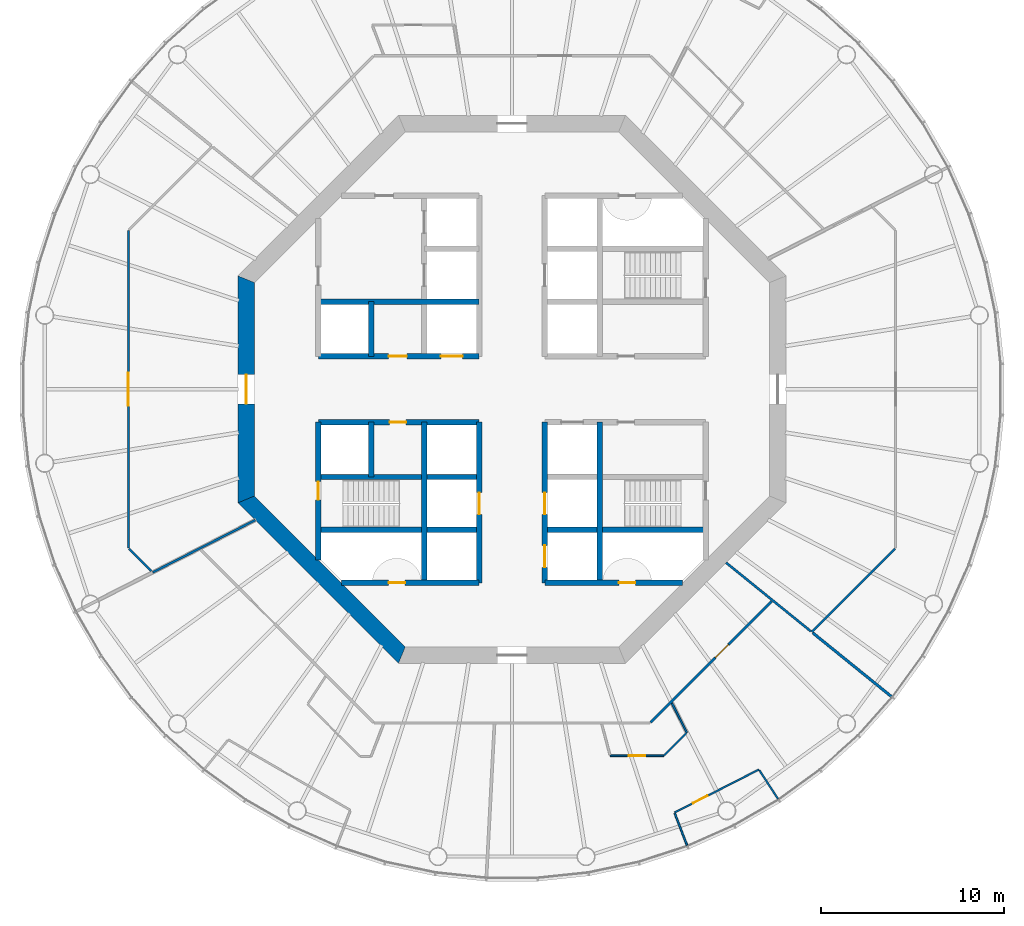
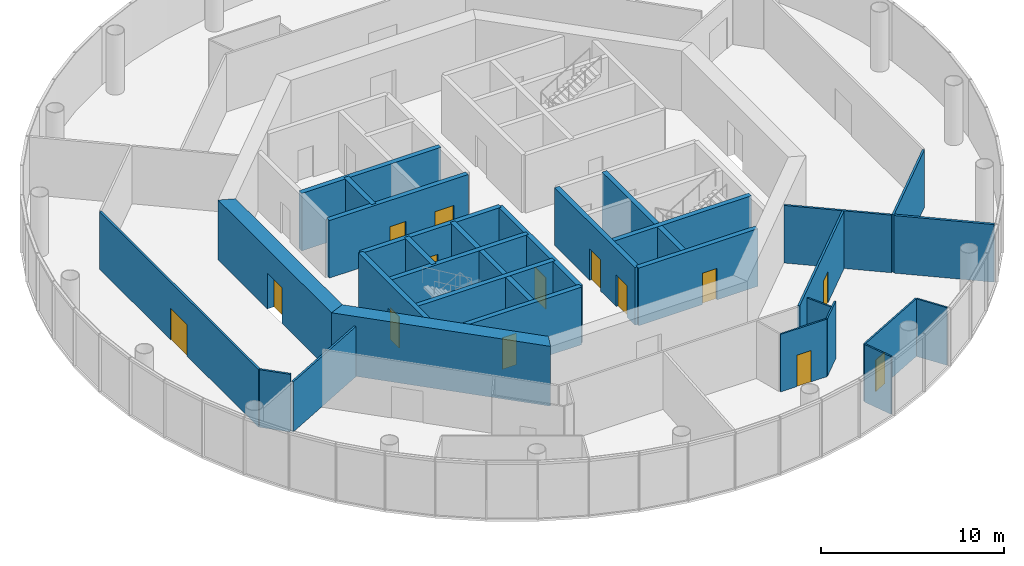
# One storey, part 3 of 12: 30 walls, 14 doors, 14 openings.
"""IFC4 building model written with IfcOpenShell, lengths in metres."""

from ifc_helpers import new_model, si_unit, direction, frame, frame_2d, origin, place, context, subcontext, project, spatial, polyline, rectangle, outline, extrude, material, layer, layer_set, type_object, element, fill, save


model = new_model("IFC4")

# Units and contexts
model_context = context("Model", 3, precision=1e-05, world=origin(), true_north=direction((0.0, 1.0)))
body_context = subcontext(model_context, "Body", "Model", "MODEL_VIEW")
ifc_project = project(units=[si_unit("LENGTHUNIT", "METRE"), si_unit("AREAUNIT", "SQUARE_METRE"), si_unit("VOLUMEUNIT", "CUBIC_METRE"), si_unit("PLANEANGLEUNIT", "RADIAN"), si_unit("MASSUNIT", "GRAM", prefix="KILO")], contexts=[model_context])

# Site, building, storey
site_placement = place(None, origin())
site = spatial("IfcSite", under=ifc_project, at=site_placement, CompositionType="ELEMENT")
building_placement = place(site_placement, origin())
building = spatial("IfcBuilding", under=site, at=building_placement, Name="Entoto Ring Tower", CompositionType="ELEMENT")
storey_placement = place(building_placement, frame((0.0, 0.0, 254.0)))
storey = spatial("IfcBuildingStorey", under=building, at=storey_placement, Name="L58", CompositionType="ELEMENT", Elevation=254.0)

# Wall
ifc_material_1 = material(Name="Concrete C40/50", Category="concrete")
ifc_layer_1 = layer(ifc_material_1, 0.300048828125)
ifc_layer_set_1 = layer_set([ifc_layer_1], Name="Concrete C40/50")
wall_type_1 = type_object("IfcWallType", Name="Core enclosure wall 300 mm reinforced concrete", PredefinedType="SOLIDWALL", material=ifc_layer_set_1)
wall_1_placement = place(storey_placement, frame((94.800048828125, 69.39990234375, 0.0), z_axis=(0.0, 0.0, 1.0), x_axis=(0.0, 1.0, 0.0)))
element("IfcWall", 1, at=wall_1_placement, inside=storey, type_object=wall_type_1, Name="wall-L58-003", PredefinedType="SOLIDWALL", context=body_context, shape_type="SweptSolid", body=[
    extrude(rectangle(XDim=8.800048828125, YDim=0.300048828125, at=frame_2d((4.39990234375, 0.0))), origin(), (0.0, 0.0, 1.0), 3.85009765625),
])

# Wall, openings, doors
wall_2_placement = place(storey_placement, frame((91.800048828125, 69.39990234375, 0.0), z_axis=(0.0, 0.0, 1.0), x_axis=(0.0, 1.0, 0.0)))
wall_2 = element("IfcWall", 2, at=wall_2_placement, inside=storey, type_object=wall_type_1, Name="wall-L58-005", PredefinedType="SOLIDWALL", context=body_context, shape_type="SweptSolid", body=[
    extrude(rectangle(XDim=8.800048828125, YDim=0.300048828125, at=frame_2d((4.39990234375, 0.0))), origin(), (0.0, 0.0, 1.0), 3.85009765625),
])
opening_1_placement = place(wall_2_placement, frame((3.75, 0.0, 0.0)))
opening_1 = element("IfcOpeningElement", 3, at=opening_1_placement, cuts=wall_2, Name="Opening LD", PredefinedType="OPENING", context=body_context, shape_type="SweptSolid", body=[
    extrude(rectangle(XDim=1.199951171875, YDim=2.10009765625, at=frame_2d((0.60009765625, 1.050048828125))), frame((0.0, 0.16015625, 0.0), z_axis=(0.0, -1.0, 0.0), x_axis=(1.0, 0.0, 0.0)), (0.0, 0.0, 1.0), 0.320068359375),
])
opening_2_placement = place(wall_2_placement, frame((0.85009765625, 0.0, 0.0)))
opening_2 = element("IfcOpeningElement", 4, at=opening_2_placement, cuts=wall_2, Name="Opening LD", PredefinedType="OPENING", context=body_context, shape_type="SweptSolid", body=[
    extrude(rectangle(XDim=1.199951171875, YDim=2.10009765625, at=frame_2d((0.60009765625, 1.050048828125))), frame((0.0, 0.16015625, 0.0), z_axis=(0.0, -1.0, 0.0), x_axis=(1.0, 0.0, 0.0)), (0.0, 0.0, 1.0), 0.320068359375),
])
ifc_material_2 = material(Name="Steel and glass door leaf", Category="steel")
ifc_layer_2 = layer(ifc_material_2, 0.050048828125)
ifc_layer_set_2 = layer_set([ifc_layer_2], Name="Steel and glass door leaf")
door_type_1 = type_object("IfcDoorType", Name="Landing door 1200 x 2100 sliding", OperationType="DOUBLE_DOOR_SLIDING", PredefinedType="DOOR", material=ifc_layer_set_2)
door_1_placement = place(opening_1_placement, origin())
door_1 = element("IfcDoor", 5, at=door_1_placement, inside=storey, type_object=door_type_1, Name="Landing door LB2-MR", OperationType="SLIDING_TO_RIGHT", OverallHeight=2.10009765625, OverallWidth=1.199951171875, PredefinedType="DOOR", context=body_context, shape_type="SweptSolid", body=[
    extrude(rectangle(XDim=1.199951171875, YDim=2.10009765625, at=frame_2d((0.60009765625, 1.050048828125))), frame((0.0, 0.02490234375, 0.0), z_axis=(0.0, -1.0, 0.0), x_axis=(1.0, 0.0, 0.0)), (0.0, 0.0, 1.0), 0.050048828125),
])
fill(opening_1, door_1)
door_2_placement = place(opening_2_placement, origin())
door_2 = element("IfcDoor", 6, at=door_2_placement, inside=storey, type_object=door_type_1, Name="Landing door LB3-MR", OperationType="SLIDING_TO_RIGHT", OverallHeight=2.10009765625, OverallWidth=1.199951171875, PredefinedType="DOOR", context=body_context, shape_type="SweptSolid", body=[
    extrude(rectangle(XDim=1.199951171875, YDim=2.10009765625, at=frame_2d((0.60009765625, 1.050048828125))), frame((0.0, 0.02490234375, 0.0), z_axis=(0.0, -1.0, 0.0), x_axis=(1.0, 0.0, 0.0)), (0.0, 0.0, 1.0), 0.050048828125),
])
fill(opening_2, door_2)

# Wall, opening, door
wall_3_placement = place(storey_placement, frame((88.199951171875, 69.39990234375, 0.0), z_axis=(0.0, 0.0, 1.0), x_axis=(0.0, 1.0, 0.0)))
wall_3 = element("IfcWall", 7, at=wall_3_placement, inside=storey, type_object=wall_type_1, Name="wall-L58-007", PredefinedType="SOLIDWALL", context=body_context, shape_type="SweptSolid", body=[
    extrude(rectangle(XDim=8.800048828125, YDim=0.300048828125, at=frame_2d((4.39990234375, 0.0))), origin(), (0.0, 0.0, 1.0), 3.85009765625),
])
opening_3_placement = place(wall_3_placement, frame((3.75, 0.0, 0.0)))
opening_3 = element("IfcOpeningElement", 8, at=opening_3_placement, cuts=wall_3, Name="Opening LD", PredefinedType="OPENING", context=body_context, shape_type="SweptSolid", body=[
    extrude(rectangle(XDim=1.199951171875, YDim=2.10009765625, at=frame_2d((0.60009765625, 1.050048828125))), frame((0.0, 0.16015625, 0.0), z_axis=(0.0, -1.0, 0.0), x_axis=(1.0, 0.0, 0.0)), (0.0, 0.0, 1.0), 0.320068359375),
])
door_3_placement = place(opening_3_placement, origin())
door_3 = element("IfcDoor", 9, at=door_3_placement, inside=storey, type_object=door_type_1, Name="Landing door LB4-MR", OperationType="SLIDING_TO_RIGHT", OverallHeight=2.10009765625, OverallWidth=1.199951171875, PredefinedType="DOOR", context=body_context, shape_type="SweptSolid", body=[
    extrude(rectangle(XDim=1.199951171875, YDim=2.10009765625, at=frame_2d((0.60009765625, 1.050048828125))), frame((0.0, 0.02490234375, 0.0), z_axis=(0.0, -1.0, 0.0), x_axis=(1.0, 0.0, 0.0)), (0.0, 0.0, 1.0), 0.050048828125),
])
fill(opening_3, door_3)

# Walls
wall_4_placement = place(storey_placement, frame((85.199951171875, 69.39990234375, 0.0), z_axis=(0.0, 0.0, 1.0), x_axis=(0.0, 1.0, 0.0)))
element("IfcWall", 10, at=wall_4_placement, inside=storey, type_object=wall_type_1, Name="wall-L58-009", PredefinedType="SOLIDWALL", context=body_context, shape_type="SweptSolid", body=[
    extrude(rectangle(XDim=8.800048828125, YDim=0.300048828125, at=frame_2d((4.39990234375, 0.0))), origin(), (0.0, 0.0, 1.0), 3.85009765625),
])
for number, where, z_axis, x_axis, name in (
    (11, (82.300048828125, 75.199951171875, 0.0), (0.0, 0.0, 1.0), (0.0, 1.0, 0.0), "wall-L58-011"),
    (12, (82.300048828125, 81.800048828125, 0.0), (0.0, 0.0, 1.0), (0.0, 1.0, 0.0), "wall-L58-012"),
):
    element("IfcWall", number, at=place(storey_placement, frame(where, z_axis=z_axis, x_axis=x_axis)), inside=storey, type_object=wall_type_1, Name=name, PredefinedType="SOLIDWALL", context=body_context, shape_type="SweptSolid", body=[
        extrude(rectangle(XDim=3.0, YDim=0.300048828125, at=frame_2d((1.5, 0.0))), origin(), (0.0, 0.0, 1.0), 3.85009765625),
    ])

# Wall, opening, door
wall_5_placement = place(storey_placement, frame((79.39990234375, 70.65966796875, 0.0), z_axis=(0.0, 0.0, 1.0), x_axis=(0.0, 1.0, 0.0)))
wall_5 = element("IfcWall", 13, at=wall_5_placement, inside=storey, type_object=wall_type_1, Name="wall-L58-013", PredefinedType="SOLIDWALL", context=body_context, shape_type="SweptSolid", body=[
    extrude(rectangle(XDim=7.540283203125, YDim=0.300048828125, at=frame_2d((3.77001953125, 0.0))), origin(), (0.0, 0.0, 1.0), 3.85009765625),
])
opening_4_placement = place(wall_5_placement, frame((3.290283203125, 0.0, 0.0)))
opening_4 = element("IfcOpeningElement", 14, at=opening_4_placement, cuts=wall_5, Name="Opening K-55", PredefinedType="OPENING", context=body_context, shape_type="SweptSolid", body=[
    extrude(rectangle(XDim=1.0, YDim=2.10009765625, at=frame_2d((0.5, 1.050048828125))), frame((0.0, 0.16015625, 0.0), z_axis=(0.0, -1.0, 0.0), x_axis=(1.0, 0.0, 0.0)), (0.0, 0.0, 1.0), 0.320068359375),
])
ifc_material_3 = material(Name="Steel door leaf, fire rated", Category="steel")
ifc_layer_3 = layer(ifc_material_3, 0.050048828125)
ifc_layer_set_3 = layer_set([ifc_layer_3], Name="Steel door leaf, fire rated")
door_type_2 = type_object("IfcDoorType", Name="Fire door FD60 1000 x 2100 single leaf", OperationType="NOTDEFINED", PredefinedType="DOOR", material=ifc_layer_set_3)
door_4_placement = place(opening_4_placement, frame((1.0, 0.0, 0.0), z_axis=(0.0, 0.0, 1.0), x_axis=(-1.0, 0.0, 0.0)))
door_4 = element("IfcDoor", 15, at=door_4_placement, inside=storey, type_object=door_type_2, Name="Door K-55", OperationType="SINGLE_SWING_LEFT", OverallHeight=2.10009765625, OverallWidth=1.0, PredefinedType="DOOR", context=body_context, shape_type="SweptSolid", body=[
    extrude(rectangle(XDim=1.0, YDim=2.10009765625, at=frame_2d((0.5, 1.050048828125))), frame((0.0, 0.02490234375, 0.0), z_axis=(0.0, -1.0, 0.0), x_axis=(1.0, 0.0, 0.0)), (0.0, 0.0, 1.0), 0.050048828125),
])
fill(opening_4, door_4)

wall_6_placement = place(storey_placement, frame((80.65966796875, 69.39990234375, 0.0), z_axis=(0.0, 0.0, 1.0), x_axis=(1.0, 0.0, 0.0)))
wall_6 = element("IfcWall", 16, at=wall_6_placement, inside=storey, type_object=wall_type_1, Name="wall-L58-015", PredefinedType="SOLIDWALL", context=body_context, shape_type="SweptSolid", body=[
    extrude(rectangle(XDim=7.540283203125, YDim=0.300048828125, at=frame_2d((3.77001953125, 0.0))), origin(), (0.0, 0.0, 1.0), 3.85009765625),
])
opening_5_placement = place(wall_6_placement, frame((2.59033203125, 0.0, 0.0)))
opening_5 = element("IfcOpeningElement", 17, at=opening_5_placement, cuts=wall_6, Name="Opening K-62", PredefinedType="OPENING", context=body_context, shape_type="SweptSolid", body=[
    extrude(rectangle(XDim=0.89990234375, YDim=2.10009765625, at=frame_2d((0.449951171875, 1.050048828125))), frame((0.0, 0.16015625, 0.0), z_axis=(0.0, -1.0, 0.0), x_axis=(1.0, 0.0, 0.0)), (0.0, 0.0, 1.0), 0.320068359375),
])
ifc_material_4 = material(Name="Steel door leaf, fire rated", Category="steel")
ifc_layer_4 = layer(ifc_material_4, 0.050048828125)
ifc_layer_set_4 = layer_set([ifc_layer_4], Name="Steel door leaf, fire rated")
door_type_3 = type_object("IfcDoorType", Name="Riser door FD60 900 x 2100 single leaf", OperationType="NOTDEFINED", PredefinedType="DOOR", material=ifc_layer_set_4)
door_5_placement = place(opening_5_placement, origin())
door_5 = element("IfcDoor", 18, at=door_5_placement, inside=storey, type_object=door_type_3, Name="Door K-62", OperationType="SINGLE_SWING_RIGHT", OverallHeight=2.10009765625, OverallWidth=0.89990234375, PredefinedType="DOOR", context=body_context, shape_type="SweptSolid", body=[
    extrude(rectangle(XDim=0.89990234375, YDim=2.10009765625, at=frame_2d((0.449951171875, 1.050048828125))), frame((0.0, 0.02490234375, 0.0), z_axis=(0.0, -1.0, 0.0), x_axis=(1.0, 0.0, 0.0)), (0.0, 0.0, 1.0), 0.050048828125),
])
fill(opening_5, door_5)

wall_7_placement = place(storey_placement, frame((91.800048828125, 69.39990234375, 0.0), z_axis=(0.0, 0.0, 1.0), x_axis=(1.0, 0.0, 0.0)))
wall_7 = element("IfcWall", 19, at=wall_7_placement, inside=storey, type_object=wall_type_1, Name="wall-L58-016", PredefinedType="SOLIDWALL", context=body_context, shape_type="SweptSolid", body=[
    extrude(rectangle(XDim=7.540283203125, YDim=0.300048828125, at=frame_2d((3.77001953125, 0.0))), origin(), (0.0, 0.0, 1.0), 3.85009765625),
])
opening_6_placement = place(wall_7_placement, frame((4.050048828125, 0.0, 0.0)))
opening_6 = element("IfcOpeningElement", 20, at=opening_6_placement, cuts=wall_7, Name="Opening K-20", PredefinedType="OPENING", context=body_context, shape_type="SweptSolid", body=[
    extrude(rectangle(XDim=0.89990234375, YDim=2.10009765625, at=frame_2d((0.449951171875, 1.050048828125))), frame((0.0, 0.16015625, 0.0), z_axis=(0.0, -1.0, 0.0), x_axis=(1.0, 0.0, 0.0)), (0.0, 0.0, 1.0), 0.320068359375),
])
door_6_placement = place(opening_6_placement, origin())
door_6 = element("IfcDoor", 21, at=door_6_placement, inside=storey, type_object=door_type_3, Name="Door K-20", OperationType="SINGLE_SWING_LEFT", OverallHeight=2.10009765625, OverallWidth=0.89990234375, PredefinedType="DOOR", context=body_context, shape_type="SweptSolid", body=[
    extrude(rectangle(XDim=0.89990234375, YDim=2.10009765625, at=frame_2d((0.449951171875, 1.050048828125))), frame((0.0, 0.02490234375, 0.0), z_axis=(0.0, -1.0, 0.0), x_axis=(1.0, 0.0, 0.0)), (0.0, 0.0, 1.0), 0.050048828125),
])
fill(opening_6, door_6)

# Walls
for number, where, z_axis, x_axis, name in (
    (22, (79.39990234375, 72.300048828125, 0.0), (0.0, 0.0, 1.0), (1.0, 0.0, 0.0), "wall-L58-017"),
    (23, (91.800048828125, 72.300048828125, 0.0), (0.0, 0.0, 1.0), (1.0, 0.0, 0.0), "wall-L58-018"),
    (24, (79.39990234375, 75.199951171875, 0.0), (0.0, 0.0, 1.0), (1.0, 0.0, 0.0), "wall-L58-019"),
):
    element("IfcWall", number, at=place(storey_placement, frame(where, z_axis=z_axis, x_axis=x_axis)), inside=storey, type_object=wall_type_1, Name=name, PredefinedType="SOLIDWALL", context=body_context, shape_type="SweptSolid", body=[
        extrude(rectangle(XDim=8.800048828125, YDim=0.300048828125, at=frame_2d((4.39990234375, 0.0))), origin(), (0.0, 0.0, 1.0), 3.85009765625),
    ])

# Wall, opening, door
wall_8_placement = place(storey_placement, frame((79.39990234375, 78.199951171875, 0.0), z_axis=(0.0, 0.0, 1.0), x_axis=(1.0, 0.0, 0.0)))
wall_8 = element("IfcWall", 25, at=wall_8_placement, inside=storey, type_object=wall_type_1, Name="wall-L58-021", PredefinedType="SOLIDWALL", context=body_context, shape_type="SweptSolid", body=[
    extrude(rectangle(XDim=8.800048828125, YDim=0.300048828125, at=frame_2d((4.39990234375, 0.0))), origin(), (0.0, 0.0, 1.0), 3.85009765625),
])
opening_7_placement = place(wall_8_placement, frame((3.89990234375, 0.0, 0.0)))
opening_7 = element("IfcOpeningElement", 26, at=opening_7_placement, cuts=wall_8, Name="Opening K-14", PredefinedType="OPENING", context=body_context, shape_type="SweptSolid", body=[
    extrude(rectangle(XDim=0.89990234375, YDim=2.10009765625, at=frame_2d((0.449951171875, 1.050048828125))), frame((0.0, 0.16015625, 0.0), z_axis=(0.0, -1.0, 0.0), x_axis=(1.0, 0.0, 0.0)), (0.0, 0.0, 1.0), 0.320068359375),
])
ifc_material_5 = material(Name="Steel door leaf, fire rated", Category="steel")
ifc_layer_5 = layer(ifc_material_5, 0.050048828125)
ifc_layer_set_5 = layer_set([ifc_layer_5], Name="Steel door leaf, fire rated")
door_type_4 = type_object("IfcDoorType", Name="Core door 900 x 2100 single leaf", OperationType="NOTDEFINED", PredefinedType="DOOR", material=ifc_layer_set_5)
door_7_placement = place(opening_7_placement, frame((0.89990234375, 0.0, 0.0), z_axis=(0.0, 0.0, 1.0), x_axis=(-1.0, 0.0, 0.0)))
door_7 = element("IfcDoor", 27, at=door_7_placement, inside=storey, type_object=door_type_4, Name="Door K-14", OperationType="SINGLE_SWING_LEFT", OverallHeight=2.10009765625, OverallWidth=0.89990234375, PredefinedType="DOOR", context=body_context, shape_type="SweptSolid", body=[
    extrude(rectangle(XDim=0.89990234375, YDim=2.10009765625, at=frame_2d((0.449951171875, 1.050048828125))), frame((0.0, 0.02490234375, 0.0), z_axis=(0.0, -1.0, 0.0), x_axis=(1.0, 0.0, 0.0)), (0.0, 0.0, 1.0), 0.050048828125),
])
fill(opening_7, door_7)

# Wall, openings, doors
wall_9_placement = place(storey_placement, frame((79.39990234375, 81.800048828125, 0.0), z_axis=(0.0, 0.0, 1.0), x_axis=(1.0, 0.0, 0.0)))
wall_9 = element("IfcWall", 28, at=wall_9_placement, inside=storey, type_object=wall_type_1, Name="wall-L58-023", PredefinedType="SOLIDWALL", context=body_context, shape_type="SweptSolid", body=[
    extrude(rectangle(XDim=8.800048828125, YDim=0.300048828125, at=frame_2d((4.39990234375, 0.0))), origin(), (0.0, 0.0, 1.0), 3.85009765625),
])
opening_8_placement = place(wall_9_placement, frame((6.699951171875, 0.0, 0.0)))
opening_8 = element("IfcOpeningElement", 29, at=opening_8_placement, cuts=wall_9, Name="Opening LD", PredefinedType="OPENING", context=body_context, shape_type="SweptSolid", body=[
    extrude(rectangle(XDim=1.199951171875, YDim=2.10009765625, at=frame_2d((0.60009765625, 1.050048828125))), frame((0.0, 0.16015625, 0.0), z_axis=(0.0, -1.0, 0.0), x_axis=(1.0, 0.0, 0.0)), (0.0, 0.0, 1.0), 0.320068359375),
])
opening_9_placement = place(wall_9_placement, frame((3.85009765625, 0.0, 0.0)))
opening_9 = element("IfcOpeningElement", 30, at=opening_9_placement, cuts=wall_9, Name="Opening K-13", PredefinedType="OPENING", context=body_context, shape_type="SweptSolid", body=[
    extrude(rectangle(XDim=1.0, YDim=2.10009765625, at=frame_2d((0.5, 1.050048828125))), frame((0.0, 0.16015625, 0.0), z_axis=(0.0, -1.0, 0.0), x_axis=(1.0, 0.0, 0.0)), (0.0, 0.0, 1.0), 0.320068359375),
])
ifc_material_6 = material(Name="Steel door leaf, fire rated", Category="steel")
ifc_layer_6 = layer(ifc_material_6, 0.050048828125)
ifc_layer_set_6 = layer_set([ifc_layer_6], Name="Steel door leaf, fire rated")
door_type_5 = type_object("IfcDoorType", Name="Accessible door 1000 x 2100 single leaf", OperationType="NOTDEFINED", PredefinedType="DOOR", material=ifc_layer_set_6)
door_8_placement = place(opening_9_placement, origin())
door_8 = element("IfcDoor", 31, at=door_8_placement, inside=storey, type_object=door_type_5, Name="Door K-13", OperationType="SINGLE_SWING_LEFT", OverallHeight=2.10009765625, OverallWidth=1.0, PredefinedType="DOOR", context=body_context, shape_type="SweptSolid", body=[
    extrude(rectangle(XDim=1.0, YDim=2.10009765625, at=frame_2d((0.5, 1.050048828125))), frame((0.0, 0.02490234375, 0.0), z_axis=(0.0, -1.0, 0.0), x_axis=(1.0, 0.0, 0.0)), (0.0, 0.0, 1.0), 0.050048828125),
])
fill(opening_9, door_8)
door_9_placement = place(opening_8_placement, origin())
door_9 = element("IfcDoor", 32, at=door_9_placement, inside=storey, type_object=door_type_1, Name="Landing door LB5-MR", OperationType="SLIDING_TO_LEFT", OverallHeight=2.10009765625, OverallWidth=1.199951171875, PredefinedType="DOOR", context=body_context, shape_type="SweptSolid", body=[
    extrude(rectangle(XDim=1.199951171875, YDim=2.10009765625, at=frame_2d((0.60009765625, 1.050048828125))), frame((0.0, 0.02490234375, 0.0), z_axis=(0.0, -1.0, 0.0), x_axis=(1.0, 0.0, 0.0)), (0.0, 0.0, 1.0), 0.050048828125),
])
fill(opening_8, door_9)

# Wall
wall_10_placement = place(storey_placement, frame((79.39990234375, 84.800048828125, 0.0), z_axis=(0.0, 0.0, 1.0), x_axis=(1.0, 0.0, 0.0)))
element("IfcWall", 33, at=wall_10_placement, inside=storey, type_object=wall_type_1, Name="wall-L58-025", PredefinedType="SOLIDWALL", context=body_context, shape_type="SweptSolid", body=[
    extrude(rectangle(XDim=8.800048828125, YDim=0.300048828125, at=frame_2d((4.39990234375, 0.0))), origin(), (0.0, 0.0, 1.0), 3.85009765625),
])

# Wall, opening, door
ifc_material_7 = material(Name="Concrete C50/60", Category="concrete")
ifc_layer_7 = layer(ifc_material_7, 0.89990234375)
ifc_layer_set_7 = layer_set([ifc_layer_7], Name="Concrete C50/60")
wall_type_2 = type_object("IfcWallType", Name="Core shear wall 900 mm reinforced concrete C50/60", PredefinedType="SHEAR", material=ifc_layer_set_7)
wall_11_placement = place(storey_placement, frame((75.449951171875, 86.02685546875, 0.0), z_axis=(0.0, 0.0, 1.0), x_axis=(0.0, -1.0, 0.0)))
wall_11 = element("IfcWall", 34, at=wall_11_placement, inside=storey, type_object=wall_type_2, Name="wall-L58-core-4", PredefinedType="SHEAR", context=body_context, shape_type="SweptSolid", body=[
    extrude(outline(polyline([(-0.186279296875, -0.449951171875), (12.239990234375, -0.449951171875), (11.867431640625, 0.449951171875), (0.186279296875, 0.449951171875), (-0.186279296875, -0.449951171875)])), origin(), (0.0, 0.0, 1.0), 4.0),
])
opening_10_placement = place(wall_11_placement, frame((5.226806640625, 0.0, 0.0)))
opening_10 = element("IfcOpeningElement", 35, at=opening_10_placement, cuts=wall_11, Name="Opening K-03", PredefinedType="OPENING", context=body_context, shape_type="SweptSolid", body=[
    extrude(rectangle(XDim=1.60009765625, YDim=2.39990234375, at=frame_2d((0.800048828125, 1.199951171875))), frame((0.0, 0.4599609375, 0.0), z_axis=(0.0, -1.0, 0.0), x_axis=(1.0, 0.0, 0.0)), (0.0, 0.0, 1.0), 0.919921875),
])
ifc_material_8 = material(Name="Steel door leaf, fire rated", Category="steel")
ifc_layer_8 = layer(ifc_material_8, 0.050048828125)
ifc_layer_set_8 = layer_set([ifc_layer_8], Name="Steel door leaf, fire rated")
door_type_6 = type_object("IfcDoorType", Name="Entrance door FD60 1600 x 2400 double leaf", OperationType="DOUBLE_DOOR_SINGLE_SWING", PredefinedType="DOOR", material=ifc_layer_set_8)
door_10_placement = place(opening_10_placement, origin())
door_10 = element("IfcDoor", 36, at=door_10_placement, inside=storey, type_object=door_type_6, Name="Entrance door K-03", OperationType="DOUBLE_DOOR_SINGLE_SWING", OverallHeight=2.39990234375, OverallWidth=1.60009765625, PredefinedType="DOOR", context=body_context, shape_type="SweptSolid", body=[
    extrude(rectangle(XDim=1.60009765625, YDim=2.39990234375, at=frame_2d((0.800048828125, 1.199951171875))), frame((0.0, 0.02490234375, 0.0), z_axis=(0.0, -1.0, 0.0), x_axis=(1.0, 0.0, 0.0)), (0.0, 0.0, 1.0), 0.050048828125),
])
fill(opening_10, door_10)

# Wall
wall_12_placement = place(storey_placement, frame((75.449951171875, 73.97314453125, 0.0), z_axis=(0.0, 0.0, 1.0), x_axis=(0.707106781187, -0.707106781187, 0.0)))
element("IfcWall", 37, at=wall_12_placement, inside=storey, type_object=wall_type_2, Name="wall-L58-core-5", PredefinedType="SHEAR", context=body_context, shape_type="SweptSolid", body=[
    extrude(outline(polyline([(-0.186279296875, -0.449951171875), (12.239990234375, -0.449951171875), (11.867431640625, 0.449951171875), (0.186279296875, 0.449951171875), (-0.186279296875, -0.449951171875)])), origin(), (0.0, 0.0, 1.0), 4.0),
])

# Wall, opening, door
ifc_material_9 = material(Name="Fire-resisting plasterboard on steel studs", Category="steel")
ifc_layer_9 = layer(ifc_material_9, 0.125)
ifc_layer_set_9 = layer_set([ifc_layer_9], Name="Fire-resisting plasterboard on steel studs")
wall_type_3 = type_object("IfcWallType", Name="Corridor wall 125 mm one-hour plasterboard on steel studs", PredefinedType="PARTITIONING", material=ifc_layer_set_9)
wall_13_placement = place(storey_placement, frame((69.0, 71.301513671875, 0.0), z_axis=(0.0, 0.0, 1.0), x_axis=(0.0, 1.0, 0.0)))
wall_13 = element("IfcWall", 38, at=wall_13_placement, inside=storey, type_object=wall_type_3, Name="partition-L58-001", PredefinedType="PARTITIONING", context=body_context, shape_type="SweptSolid", body=[
    extrude(rectangle(XDim=17.39697265625, YDim=0.125, at=frame_2d((8.698486328125, 0.0))), origin(), (0.0, 0.0, 1.0), 3.85009765625),
])
opening_11_placement = place(wall_13_placement, frame((7.798583984375, 0.0, 0.0)))
opening_11 = element("IfcOpeningElement", 39, at=opening_11_placement, cuts=wall_13, Name="Opening A25-D02", PredefinedType="OPENING", context=body_context, shape_type="SweptSolid", body=[
    extrude(rectangle(XDim=1.800048828125, YDim=2.10009765625, at=frame_2d((0.89990234375, 1.050048828125))), frame((0.0, 0.072509765625, 0.0), z_axis=(0.0, -1.0, 0.0), x_axis=(1.0, 0.0, 0.0)), (0.0, 0.0, 1.0), 0.14501953125),
])
ifc_material_10 = material(Name="Fire-resisting timber door set", Category="wood")
door_type_7 = type_object("IfcDoorType", Name="Door 1800 x 2100 double leaf FD30S fire door", OperationType="DOUBLE_DOOR_SINGLE_SWING", PredefinedType="DOOR", material=ifc_material_10)
door_11_placement = place(opening_11_placement, origin())
door_11 = element("IfcDoor", 40, at=door_11_placement, inside=storey, type_object=door_type_7, Name="Door A25-D02", OperationType="DOUBLE_DOOR_SINGLE_SWING", OverallHeight=2.10009765625, OverallWidth=1.800048828125, PredefinedType="DOOR", context=body_context, shape_type="SweptSolid", body=[
    extrude(rectangle(XDim=1.800048828125, YDim=2.10009765625, at=frame_2d((0.89990234375, 1.050048828125))), frame((0.0, 0.02490234375, 0.0), z_axis=(0.0, -1.0, 0.0), x_axis=(1.0, 0.0, 0.0)), (0.0, 0.0, 1.0), 0.050048828125),
])
fill(opening_11, door_11)

wall_14_placement = place(storey_placement, frame((97.595703125, 61.7685546875, 0.0), z_axis=(0.0, 0.0, 1.0), x_axis=(0.707093754284, 0.707119807849, 0.0)))
wall_14 = element("IfcWall", 41, at=wall_14_placement, inside=storey, type_object=wall_type_3, Name="partition-L58-008", PredefinedType="PARTITIONING", context=body_context, shape_type="SweptSolid", body=[
    extrude(rectangle(XDim=9.37060546875, YDim=0.125, at=frame_2d((4.685302734375, 0.0))), origin(), (0.0, 0.0, 1.0), 3.85009765625),
])
opening_12_placement = place(wall_14_placement, frame((5.013427734375, 0.0, 0.0)))
opening_12 = element("IfcOpeningElement", 42, at=opening_12_placement, cuts=wall_14, Name="Opening A25-D11", PredefinedType="OPENING", context=body_context, shape_type="SweptSolid", body=[
    extrude(rectangle(XDim=1.0, YDim=2.10009765625, at=frame_2d((0.5, 1.050048828125))), frame((0.0, 0.072509765625, 0.0), z_axis=(0.0, -1.0, 0.0), x_axis=(1.0, 0.0, 0.0)), (0.0, 0.0, 1.0), 0.14501953125),
])
ifc_material_11 = material(Name="Fire-resisting timber door set", Category="wood")
door_type_8 = type_object("IfcDoorType", Name="Door 1000 x 2100 single leaf FD30S fire door", OperationType="NOTDEFINED", PredefinedType="DOOR", material=ifc_material_11)
door_12_placement = place(opening_12_placement, frame((1.0, 0.0, 0.0), z_axis=(0.0, 0.0, 1.0), x_axis=(-1.0, 0.0, 0.0)))
door_12 = element("IfcDoor", 43, at=door_12_placement, inside=storey, type_object=door_type_8, Name="Door A25-D11", OperationType="SINGLE_SWING_LEFT", OverallHeight=2.10009765625, OverallWidth=1.0, PredefinedType="DOOR", context=body_context, shape_type="SweptSolid", body=[
    extrude(rectangle(XDim=1.0, YDim=2.10009765625, at=frame_2d((0.5, 1.050048828125))), frame((0.0, 0.02490234375, 0.0), z_axis=(0.0, -1.0, 0.0), x_axis=(1.0, 0.0, 0.0)), (0.0, 0.0, 1.0), 0.050048828125),
])
fill(opening_12, door_12)

# Walls
wall_15_placement = place(storey_placement, frame((106.409912109375, 66.71142578125, 0.0), z_axis=(0.0, 0.0, 1.0), x_axis=(0.707106781187, 0.707106781187, 0.0)))
element("IfcWall", 44, at=wall_15_placement, inside=storey, type_object=wall_type_3, Name="partition-L58-010", PredefinedType="PARTITIONING", context=body_context, shape_type="SweptSolid", body=[
    extrude(rectangle(XDim=6.447509765625, YDim=0.125, at=frame_2d((3.2236328125, 0.0))), origin(), (0.0, 0.0, 1.0), 3.85009765625),
])
wall_16_placement = place(storey_placement, frame((106.36181640625, 66.75048828125, 0.0), z_axis=(0.0, 0.0, 1.0), x_axis=(-0.777137265192, 0.629331129891, 0.0)))
element("IfcWall", 45, at=wall_16_placement, inside=storey, type_object=wall_type_3, Name="partition-L58-014", PredefinedType="PARTITIONING", context=body_context, shape_type="SweptSolid", body=[
    extrude(rectangle(XDim=5.97119140625, YDim=0.125, at=frame_2d((2.985595703125, 0.0))), origin(), (0.0, 0.0, 1.0), 3.85009765625),
])
wall_17_placement = place(storey_placement, frame((70.255859375, 70.045654296875, 0.0), z_axis=(0.0, 0.0, 1.0), x_axis=(-0.707106781187, 0.707106781187, 0.0)))
element("IfcWall", 46, at=wall_17_placement, inside=storey, type_object=wall_type_3, Name="partition-L58-015", PredefinedType="PARTITIONING", context=body_context, shape_type="SweptSolid", body=[
    extrude(rectangle(XDim=1.732177734375, YDim=0.125, at=frame_2d((0.8662109375, 0.0))), origin(), (0.0, 0.0, 1.0), 3.85009765625),
])
ifc_material_12 = material(Name="Fire-resisting plasterboard on steel studs", Category="steel")
ifc_layer_10 = layer(ifc_material_12, 0.125)
ifc_layer_set_10 = layer_set([ifc_layer_10], Name="Fire-resisting plasterboard on steel studs")
wall_type_4 = type_object("IfcWallType", Name="Corridor wall 125 mm one-hour plasterboard on steel studs, 3350 mm high", PredefinedType="PARTITIONING", material=ifc_layer_set_10)
wall_18_placement = place(storey_placement, frame((70.325927734375, 69.9755859375, 0.0), z_axis=(0.0, 0.0, 1.0), x_axis=(0.891011438751, 0.453980854238, 0.0)))
element("IfcWall", 47, at=wall_18_placement, inside=storey, type_object=wall_type_4, Name="partition-L58-012", PredefinedType="PARTITIONING", context=body_context, shape_type="SweptSolid", body=[
    extrude(rectangle(XDim=6.30859375, YDim=0.125, at=frame_2d((3.154296875, 0.0))), origin(), (0.0, 0.0, 1.0), 3.35009765625),
])

# Wall, opening, door
ifc_material_13 = material(Name="Plasterboard on steel studs", Category="steel")
ifc_layer_11 = layer(ifc_material_13, 0.10009765625)
ifc_layer_set_11 = layer_set([ifc_layer_11], Name="Plasterboard on steel studs")
wall_type_5 = type_object("IfcWallType", Name="Partition 100 mm plasterboard on steel studs", PredefinedType="PARTITIONING", material=ifc_layer_set_11)
wall_19_placement = place(storey_placement, frame((98.894775390625, 56.82861328125, 0.0), z_axis=(0.0, 0.0, 1.0), x_axis=(0.891013641009, 0.453976531921, 0.0)))
wall_19 = element("IfcWall", 48, at=wall_19_placement, inside=storey, type_object=wall_type_5, Name="partition-L58-024", PredefinedType="PARTITIONING", context=body_context, shape_type="SweptSolid", body=[
    extrude(rectangle(XDim=5.1884765625, YDim=0.10009765625, at=frame_2d((2.59423828125, 0.0))), origin(), (0.0, 0.0, 1.0), 3.85009765625),
])
opening_13_placement = place(wall_19_placement, frame((1.127685546875, 0.0, 0.0)))
opening_13 = element("IfcOpeningElement", 49, at=opening_13_placement, cuts=wall_19, Name="Opening A25-D13", PredefinedType="OPENING", context=body_context, shape_type="SweptSolid", body=[
    extrude(rectangle(XDim=0.89990234375, YDim=2.10009765625, at=frame_2d((0.449951171875, 1.050048828125))), frame((0.0, 0.06005859375, 0.0), z_axis=(0.0, -1.0, 0.0), x_axis=(1.0, 0.0, 0.0)), (0.0, 0.0, 1.0), 0.1201171875),
])
ifc_material_14 = material(Name="Veneered timber door leaf in timber frame", Category="wood")
door_type_9 = type_object("IfcDoorType", Name="Door 900 x 2100 single leaf timber veneer", OperationType="NOTDEFINED", PredefinedType="DOOR", material=ifc_material_14)
door_13_placement = place(opening_13_placement, frame((0.89990234375, 0.0, 0.0), z_axis=(0.0, 0.0, 1.0), x_axis=(-1.0, 0.0, 0.0)))
door_13 = element("IfcDoor", 50, at=door_13_placement, inside=storey, type_object=door_type_9, Name="Door A25-D13", OperationType="SINGLE_SWING_RIGHT", OverallHeight=2.10009765625, OverallWidth=0.89990234375, PredefinedType="DOOR", context=body_context, shape_type="SweptSolid", body=[
    extrude(rectangle(XDim=0.89990234375, YDim=2.10009765625, at=frame_2d((0.449951171875, 1.050048828125))), frame((0.0, 0.02490234375, 0.0), z_axis=(0.0, -1.0, 0.0), x_axis=(1.0, 0.0, 0.0)), (0.0, 0.0, 1.0), 0.050048828125),
])
fill(opening_13, door_13)

wall_20_placement = place(storey_placement, frame((95.375732421875, 59.9375, 0.0), z_axis=(0.0, 0.0, 1.0), x_axis=(1.0, 0.0, 0.0)))
wall_20 = element("IfcWall", 51, at=wall_20_placement, inside=storey, type_object=wall_type_5, Name="partition-L58-028", PredefinedType="PARTITIONING", context=body_context, shape_type="SweptSolid", body=[
    extrude(rectangle(XDim=2.9345703125, YDim=0.10009765625, at=frame_2d((1.46728515625, 0.0))), origin(), (0.0, 0.0, 1.0), 3.85009765625),
])
opening_14_placement = place(wall_20_placement, frame((1.01708984375, 0.0, 0.0)))
opening_14 = element("IfcOpeningElement", 52, at=opening_14_placement, cuts=wall_20, Name="Opening A25-D12", PredefinedType="OPENING", context=body_context, shape_type="SweptSolid", body=[
    extrude(rectangle(XDim=0.89990234375, YDim=2.10009765625, at=frame_2d((0.449951171875, 1.050048828125))), frame((0.0, 0.06005859375, 0.0), z_axis=(0.0, -1.0, 0.0), x_axis=(1.0, 0.0, 0.0)), (0.0, 0.0, 1.0), 0.1201171875),
])
door_14_placement = place(opening_14_placement, origin())
door_14 = element("IfcDoor", 53, at=door_14_placement, inside=storey, type_object=door_type_9, Name="Door A25-D12", OperationType="SINGLE_SWING_LEFT", OverallHeight=2.10009765625, OverallWidth=0.89990234375, PredefinedType="DOOR", context=body_context, shape_type="SweptSolid", body=[
    extrude(rectangle(XDim=0.89990234375, YDim=2.10009765625, at=frame_2d((0.449951171875, 1.050048828125))), frame((0.0, 0.02490234375, 0.0), z_axis=(0.0, -1.0, 0.0), x_axis=(1.0, 0.0, 0.0)), (0.0, 0.0, 1.0), 0.050048828125),
])
fill(opening_14, door_14)

# Walls
for number, where, z_axis, x_axis, name in (
    (54, (104.563720703125, 57.573974609375, 0.0), (0.0, 0.0, 1.0), (-0.54469009927, 0.83863740422, 0.0), "partition-L58-032"),
    (55, (99.582763671875, 55.0361328125, 0.0), (0.0, 0.0, 1.0), (-0.358322943327, 0.933597701521, 0.0), "partition-L58-033"),
):
    element("IfcWall", number, at=place(storey_placement, frame(where, z_axis=z_axis, x_axis=x_axis)), inside=storey, type_object=wall_type_5, Name=name, PredefinedType="PARTITIONING", context=body_context, shape_type="SweptSolid", body=[
        extrude(rectangle(XDim=1.870361328125, YDim=0.10009765625, at=frame_2d((0.93505859375, 0.0))), origin(), (0.0, 0.0, 1.0), 3.85009765625),
    ])
wall_21_placement = place(storey_placement, frame((98.3349609375, 59.96240234375, 0.0), z_axis=(0.0, 0.0, 1.0), x_axis=(0.707178209721, 0.707035345436, 0.0)))
element("IfcWall", 56, at=wall_21_placement, inside=storey, type_object=wall_type_5, Name="partition-L58-041", PredefinedType="PARTITIONING", context=body_context, shape_type="SweptSolid", body=[
    extrude(rectangle(XDim=1.708984375, YDim=0.10009765625, at=frame_2d((0.8544921875, 0.0))), origin(), (0.0, 0.0, 1.0), 3.85009765625),
])
ifc_material_15 = material(Name="Plasterboard on steel studs", Category="steel")
ifc_layer_12 = layer(ifc_material_15, 0.10009765625)
ifc_layer_set_12 = layer_set([ifc_layer_12], Name="Plasterboard on steel studs")
wall_type_6 = type_object("IfcWallType", Name="Partition 100 mm plasterboard on steel studs, 3350 mm high", PredefinedType="PARTITIONING", material=ifc_layer_set_12)
wall_22_placement = place(storey_placement, frame((99.576904296875, 61.204345703125, 0.0), z_axis=(0.0, 0.0, 1.0), x_axis=(-0.453996476089, 0.891003479061, 0.0)))
element("IfcWall", 57, at=wall_22_placement, inside=storey, type_object=wall_type_6, Name="partition-L58-034", PredefinedType="PARTITIONING", context=body_context, shape_type="SweptSolid", body=[
    extrude(rectangle(XDim=1.810546875, YDim=0.10009765625, at=frame_2d((0.9052734375, 0.0))), origin(), (0.0, 0.0, 1.0), 3.35009765625),
])
ifc_material_16 = material(Name="Fire-resisting acoustic plasterboard on steel studs", Category="steel")
ifc_layer_13 = layer(ifc_material_16, 0.14990234375)
ifc_layer_set_13 = layer_set([ifc_layer_13], Name="Fire-resisting acoustic plasterboard on steel studs")
wall_type_7 = type_object("IfcWallType", Name="Party wall 150 mm one-hour acoustic plasterboard on steel studs", PredefinedType="PARTITIONING", material=ifc_layer_set_13)
wall_23_placement = place(storey_placement, frame((110.781005859375, 63.172119140625, 0.0), z_axis=(0.0, 0.0, 1.0), x_axis=(-0.777171156881, 0.629289276019, 0.0)))
element("IfcWall", 58, at=wall_23_placement, inside=storey, type_object=wall_type_7, Name="partition-L58-019", PredefinedType="PARTITIONING", context=body_context, shape_type="SweptSolid", body=[
    extrude(rectangle(XDim=5.5537109375, YDim=0.14990234375, at=frame_2d((2.77685546875, 0.0))), origin(), (0.0, 0.0, 1.0), 3.85009765625),
])

save(model, "model.ifc")
